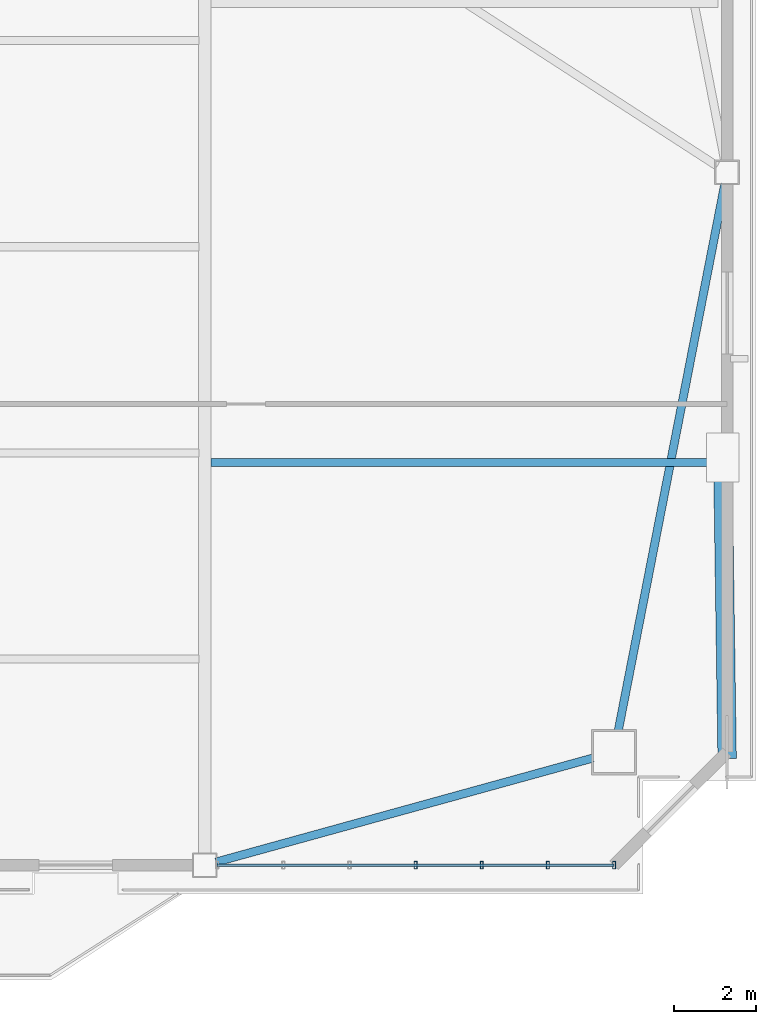
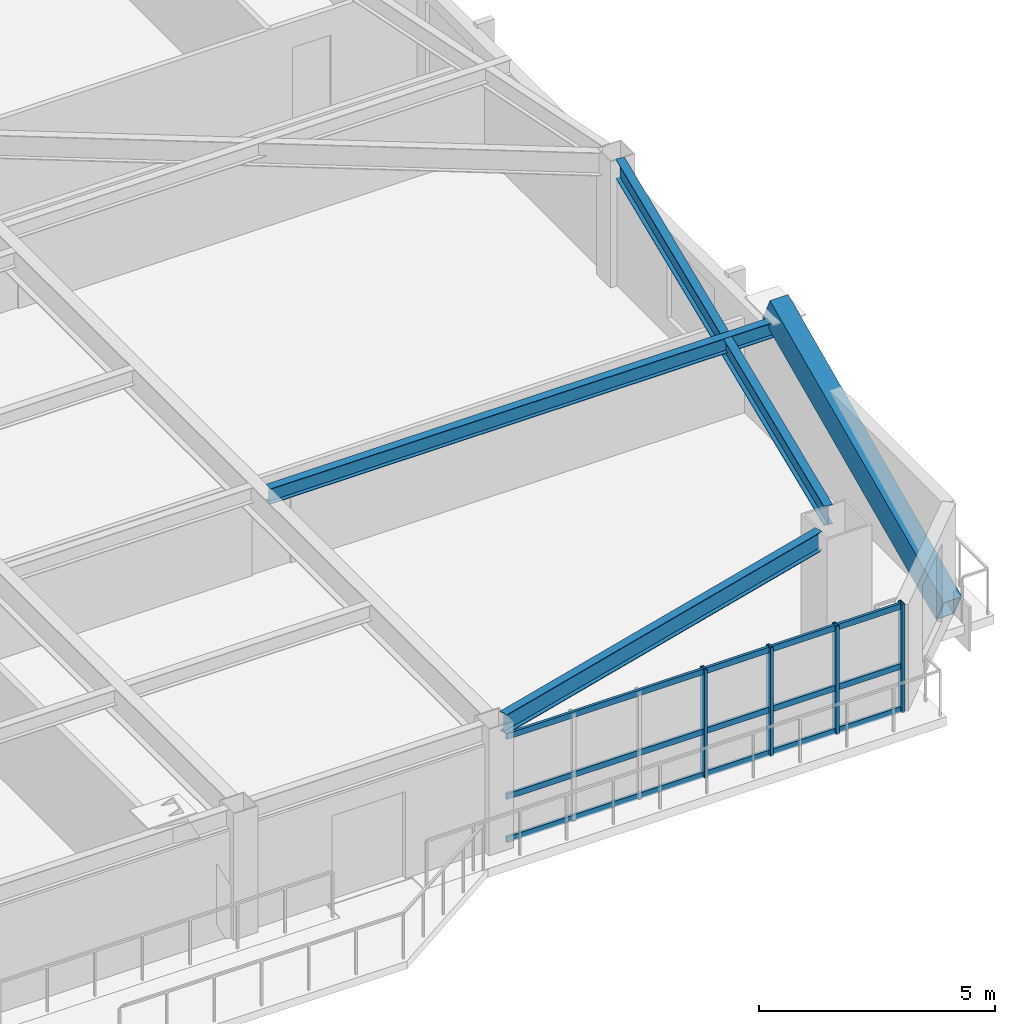
# One storey, part 6 of 17: 8 members, 3 beams, 1 element without a shape of its own.
"""IFC4 building model written with IfcOpenShell, lengths in metres."""

from ifc_helpers import new_model, si_unit, direction, frame, origin, origin_2d, place, context, subcontext, project, spatial, hollow_rectangle, i_section, extrude, source, transform, mapped, material, layer, layer_set, material_profile, profile_set, type_object, element, aggregate, save


model = new_model("IFC4")

# Units and contexts
model_context = context("Model", 3, precision=1e-05, world=origin(), true_north=direction((0.0, 1.0)))
body_context = subcontext(model_context, "Body", "Model", "MODEL_VIEW")
ifc_project = project(units=[si_unit("LENGTHUNIT", "METRE"), si_unit("AREAUNIT", "SQUARE_METRE"), si_unit("VOLUMEUNIT", "CUBIC_METRE"), si_unit("PLANEANGLEUNIT", "RADIAN"), si_unit("MASSUNIT", "GRAM", prefix="KILO")], contexts=[model_context])

# Site, building, storey
site_placement = place(None, origin())
site = spatial("IfcSite", under=ifc_project, at=site_placement, CompositionType="ELEMENT")
building_placement = place(site_placement, origin())
building = spatial("IfcBuilding", under=site, at=building_placement, Name="Giltprow Tower", CompositionType="ELEMENT")
storey_placement = place(building_placement, frame((0.0, 0.0, 213.199951171875)))
storey = spatial("IfcBuildingStorey", under=building, at=storey_placement, Name="L54", CompositionType="ELEMENT", Elevation=213.199951171875)

# Beams
ifc_material_1 = material(Name="Structural steel Q355B", Category="steel")
ifc_material_profile_1 = material_profile(ifc_material_1, i_section(OverallWidth=0.199951171875, OverallDepth=0.5, WebThickness=0.010009765625, FlangeThickness=0.01611328125, at=origin_2d()), Name="HN 500x200x10x16")
ifc_profile_set_1 = profile_set([ifc_material_profile_1], Name="Structural steel Q355B")
beam_type_1 = type_object("IfcBeamType", Name="BM-SPAN-HN500", PredefinedType="SPANDREL", material=ifc_profile_set_1)
shared_shape_1 = source(origin(), body_context, "Body", "SweptSolid", [
    extrude(i_section(OverallWidth=0.199951171875, OverallDepth=0.5, WebThickness=0.010009765625, FlangeThickness=0.01611328125, at=origin_2d()), origin(), (0.0, 0.0, 1.0), 9.530517578125),
])
beam_1_placement = place(storey_placement, frame((50.824951171875, 12.39404296875, 3.02001953125), z_axis=(0.963951167116, 0.266079212672, 0.0), x_axis=(-0.266079212672, 0.963951167116, 0.0)))
element("IfcBeam", 1, at=beam_1_placement, inside=storey, type_object=beam_type_1, Name="L54 Perimeter Spandrel Beam S4-MC_SE", PredefinedType="SPANDREL", context=body_context, shape_type="MappedRepresentation", body=[
    mapped(shared_shape_1, transform((0.0, 0.0, 0.0), x_axis=(1.0, 0.0, 0.0), y_axis=(0.0, 1.0, 0.0), z_axis=(0.0, 0.0, 1.0), scale=1.0)),
])
shared_shape_2 = source(origin(), body_context, "Body", "SweptSolid", [
    extrude(i_section(OverallWidth=0.199951171875, OverallDepth=0.5, WebThickness=0.010009765625, FlangeThickness=0.01611328125, at=origin_2d()), origin(), (0.0, 0.0, 1.0), 13.582763671875),
])
beam_2_placement = place(storey_placement, frame((60.6298828125, 15.596923828125, 3.02001953125), z_axis=(0.191281458671, 0.98153522788, 0.0), x_axis=(-0.98153522788, 0.191281458671, 0.0)))
element("IfcBeam", 2, at=beam_2_placement, inside=storey, type_object=beam_type_1, Name="L54 Perimeter Spandrel Beam MC_SE-E_MID", PredefinedType="SPANDREL", context=body_context, shape_type="MappedRepresentation", body=[
    mapped(shared_shape_2, transform((0.0, 0.0, 0.0), x_axis=(1.0, 0.0, 0.0), y_axis=(0.0, 1.0, 0.0), z_axis=(0.0, 0.0, 1.0), scale=1.0)),
])
ifc_material_profile_2 = material_profile(ifc_material_1, i_section(OverallWidth=0.199951171875, OverallDepth=0.39990234375, WebThickness=0.008056640625, FlangeThickness=0.012939453125, at=origin_2d()), Name="HN 400x200x8x13")
ifc_profile_set_2 = profile_set([ifc_material_profile_2], Name="Structural steel Q355B")
beam_type_2 = type_object("IfcBeamType", Name="BM-JOIST-HN400", PredefinedType="JOIST", material=ifc_profile_set_2)
shared_shape_3 = source(origin(), body_context, "Body", "SweptSolid", [
    extrude(i_section(OverallWidth=0.199951171875, OverallDepth=0.39990234375, WebThickness=0.008056640625, FlangeThickness=0.012939453125, at=origin_2d()), origin(), (0.0, 0.0, 1.0), 12.366943359375),
])
beam_3_placement = place(storey_placement, frame((50.695068359375, 22.139892578125, 3.070068359375), z_axis=(1.0, 0.0, 0.0), x_axis=(0.0, 1.0, 0.0)))
element("IfcBeam", 3, at=beam_3_placement, inside=storey, type_object=beam_type_2, Name="L54 East Wing Floor Joist 1", PredefinedType="JOIST", context=body_context, shape_type="MappedRepresentation", body=[
    mapped(shared_shape_3, transform((0.0, 0.0, 0.0), x_axis=(1.0, 0.0, 0.0), y_axis=(0.0, 1.0, 0.0), z_axis=(0.0, 0.0, 1.0), scale=1.0)),
])

# Member
ifc_material_2 = material(Name="Structural steel Q420GJC", Category="steel")
ifc_material_profile_3 = material_profile(ifc_material_2, hollow_rectangle(XDim=0.449951171875, YDim=0.699951171875, WallThickness=0.031982421875, at=origin_2d()), Name="RHS 700x450x32")
ifc_profile_set_3 = profile_set([ifc_material_profile_3], Name="Structural steel Q420GJC")
member_type_1 = type_object("IfcMemberType", Name="MBR-MEGA-RHS700", PredefinedType="BRACE", material=ifc_profile_set_3)
shared_shape_4 = source(origin(), body_context, "Body", "SweptSolid", [
    extrude(hollow_rectangle(XDim=0.449951171875, YDim=0.699951171875, WallThickness=0.031982421875, at=origin_2d()), origin(), (0.0, 0.0, 1.0), 7.990966796875),
])
member_1_placement = place(storey_placement, frame((63.281982421875, 15.072021484375, 0.0), z_axis=(-0.013137498908, 0.898879896197, 0.437998103119), x_axis=(-0.999893211992, -0.01461385001, 0.0)))
element("IfcMember", 4, at=member_1_placement, inside=storey, type_object=member_type_1, Name="L54 Chevron Mega-Brace E-D", PredefinedType="BRACE", context=body_context, shape_type="MappedRepresentation", body=[
    mapped(shared_shape_4, transform((0.0, 0.0, 0.0), x_axis=(1.0, 0.0, 0.0), y_axis=(0.0, 1.0, 0.0), z_axis=(0.0, 0.0, 1.0), scale=1.0)),
])

# Curtain wall, members
ifc_material_3 = material(Name="Anodized bronze", Category="metal")
ifc_layer = layer(ifc_material_3, 0.179931640625, Name="Anodized bronze")
ifc_layer_set = layer_set([ifc_layer], Name="Anodized bronze")
curtain_wall_type = type_object("IfcCurtainWallType", Name="CW-HTL-BRONZE", PredefinedType="NOTDEFINED", material=ifc_layer_set)
curtain_wall_placement = place(storey_placement, origin())
curtain_wall = element("IfcCurtainWall", 5, at=curtain_wall_placement, inside=storey, type_object=curtain_wall_type, Name="L54 South Recessed Curtain Wall 6", PredefinedType="NOTDEFINED")
ifc_material_profile_4 = material_profile(ifc_material_3, hollow_rectangle(XDim=0.074951171875, YDim=0.179931640625, WallThickness=0.008056640625, at=origin_2d()), Name="RHS 180x75x8")
ifc_profile_set_4 = profile_set([ifc_material_profile_4], Name="Anodized bronze")
member_type_2 = type_object("IfcMemberType", Name="CW-MULLION-180x75", PredefinedType="MULLION", material=ifc_profile_set_4)
shared_shape_5 = source(origin(), body_context, "Body", "SweptSolid", [
    extrude(hollow_rectangle(XDim=0.074951171875, YDim=0.179931640625, WallThickness=0.008056640625, at=origin_2d()), origin(), (0.0, 0.0, 1.0), 2.80517578125),
])
member_2_placement = place(storey_placement, frame((55.68896484375, 12.318115234375, -0.02001953125), z_axis=(0.0, 0.0, 1.0), x_axis=(1.0, 0.0, 0.0)))
member_2 = element("IfcMember", 6, at=member_2_placement, type_object=member_type_2, Name="L54 South Recessed Curtain Wall 6 Mullion 4", PredefinedType="MULLION", context=body_context, shape_type="MappedRepresentation", body=[
    mapped(shared_shape_5, transform((0.0, 0.0, 0.0), x_axis=(1.0, 0.0, 0.0), y_axis=(0.0, 1.0, 0.0), z_axis=(0.0, 0.0, 1.0), scale=1.0)),
])
member_3_placement = place(storey_placement, frame((57.302001953125, 12.318115234375, -0.02001953125), z_axis=(0.0, 0.0, 1.0), x_axis=(1.0, 0.0, 0.0)))
member_3 = element("IfcMember", 7, at=member_3_placement, type_object=member_type_2, Name="L54 South Recessed Curtain Wall 6 Mullion 5", PredefinedType="MULLION", context=body_context, shape_type="MappedRepresentation", body=[
    mapped(shared_shape_5, transform((0.0, 0.0, 0.0), x_axis=(1.0, 0.0, 0.0), y_axis=(0.0, 1.0, 0.0), z_axis=(0.0, 0.0, 1.0), scale=1.0)),
])
member_4_placement = place(storey_placement, frame((58.9150390625, 12.318115234375, -0.02001953125), z_axis=(0.0, 0.0, 1.0), x_axis=(1.0, 0.0, 0.0)))
member_4 = element("IfcMember", 8, at=member_4_placement, type_object=member_type_2, Name="L54 South Recessed Curtain Wall 6 Mullion 6", PredefinedType="MULLION", context=body_context, shape_type="MappedRepresentation", body=[
    mapped(shared_shape_5, transform((0.0, 0.0, 0.0), x_axis=(1.0, 0.0, 0.0), y_axis=(0.0, 1.0, 0.0), z_axis=(0.0, 0.0, 1.0), scale=1.0)),
])
member_5_placement = place(storey_placement, frame((60.528076171875, 12.318115234375, -0.02001953125), z_axis=(0.0, 0.0, 1.0), x_axis=(1.0, 0.0, 0.0)))
member_5 = element("IfcMember", 9, at=member_5_placement, type_object=member_type_2, Name="L54 South Recessed Curtain Wall 6 Mullion 7", PredefinedType="MULLION", context=body_context, shape_type="MappedRepresentation", body=[
    mapped(shared_shape_5, transform((0.0, 0.0, 0.0), x_axis=(1.0, 0.0, 0.0), y_axis=(0.0, 1.0, 0.0), z_axis=(0.0, 0.0, 1.0), scale=1.0)),
])
ifc_material_profile_5 = material_profile(ifc_material_3, hollow_rectangle(XDim=0.06494140625, YDim=0.14990234375, WallThickness=0.006103515625, at=origin_2d()), Name="RHS 150x65x6")
ifc_profile_set_5 = profile_set([ifc_material_profile_5], Name="Anodized bronze")
member_type_3 = type_object("IfcMemberType", Name="CW-TRANSOM-150x65", PredefinedType="USERDEFINED", material=ifc_profile_set_5)
shared_shape_6 = source(origin(), body_context, "Body", "SweptSolid", [
    extrude(hollow_rectangle(XDim=0.06494140625, YDim=0.14990234375, WallThickness=0.006103515625, at=origin_2d()), origin(), (0.0, 0.0, 1.0), 9.677978515625),
])
member_6_placement = place(storey_placement, frame((50.85009765625, 12.318115234375, 0.0400390625), z_axis=(1.0, 0.0, 0.0), x_axis=(0.0, 1.0, 0.0)))
member_6 = element("IfcMember", 10, at=member_6_placement, type_object=member_type_3, Name="L54 South Recessed Curtain Wall 6 Transom 1", ObjectType="TRANSOM", PredefinedType="USERDEFINED", context=body_context, shape_type="MappedRepresentation", body=[
    mapped(shared_shape_6, transform((0.0, 0.0, 0.0), x_axis=(1.0, 0.0, 0.0), y_axis=(0.0, 1.0, 0.0), z_axis=(0.0, 0.0, 1.0), scale=1.0)),
])
member_7_placement = place(storey_placement, frame((50.85009765625, 12.318115234375, 1.155029296875), z_axis=(1.0, 0.0, 0.0), x_axis=(0.0, 1.0, 0.0)))
member_7 = element("IfcMember", 11, at=member_7_placement, type_object=member_type_3, Name="L54 South Recessed Curtain Wall 6 Transom 2", ObjectType="TRANSOM", PredefinedType="USERDEFINED", context=body_context, shape_type="MappedRepresentation", body=[
    mapped(shared_shape_6, transform((0.0, 0.0, 0.0), x_axis=(1.0, 0.0, 0.0), y_axis=(0.0, 1.0, 0.0), z_axis=(0.0, 0.0, 1.0), scale=1.0)),
])
member_8_placement = place(storey_placement, frame((50.85009765625, 12.318115234375, 2.7099609375), z_axis=(1.0, 0.0, 0.0), x_axis=(0.0, 1.0, 0.0)))
member_8 = element("IfcMember", 12, at=member_8_placement, type_object=member_type_3, Name="L54 South Recessed Curtain Wall 6 Transom 3", ObjectType="TRANSOM", PredefinedType="USERDEFINED", context=body_context, shape_type="MappedRepresentation", body=[
    mapped(shared_shape_6, transform((0.0, 0.0, 0.0), x_axis=(1.0, 0.0, 0.0), y_axis=(0.0, 1.0, 0.0), z_axis=(0.0, 0.0, 1.0), scale=1.0)),
])
aggregate(curtain_wall, [member_2, member_3, member_4, member_5, member_6, member_7, member_8])

save(model, "model.ifc")
